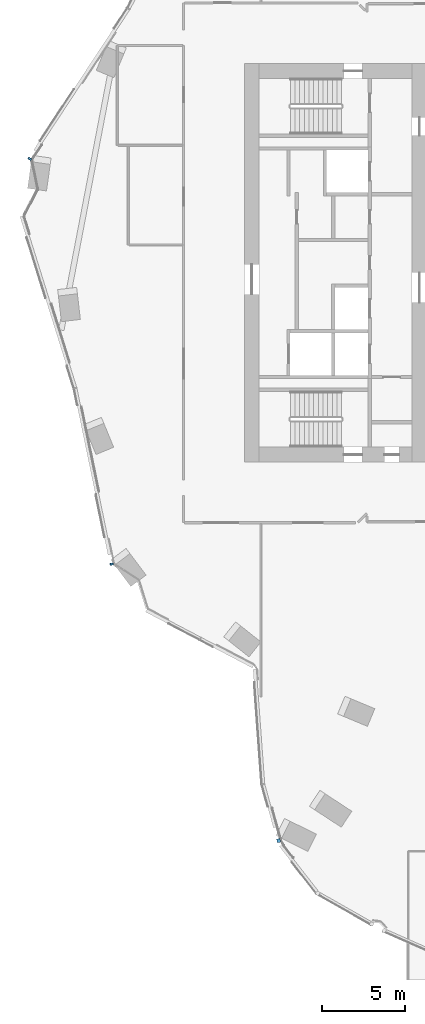
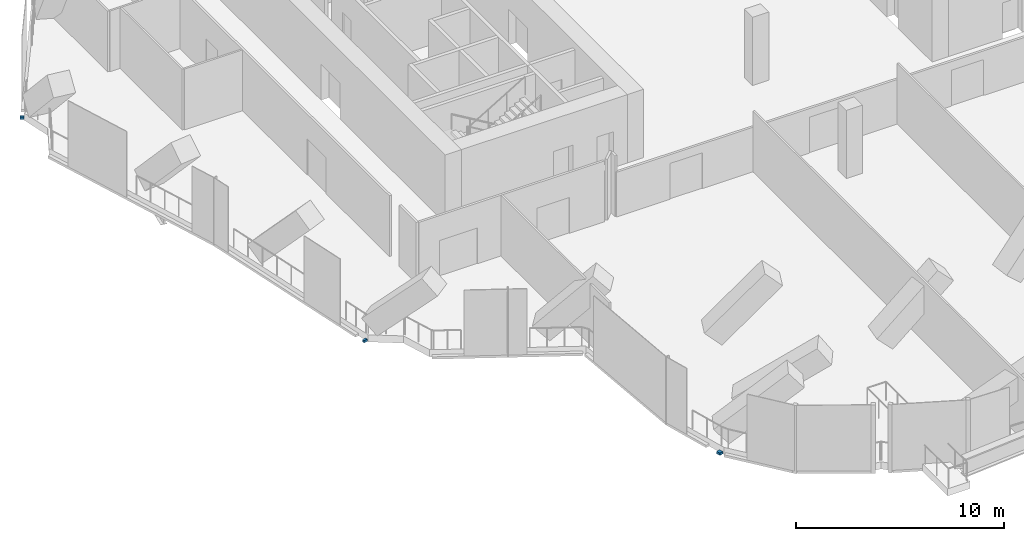
# One storey, part 12 of 26: 3 members, 3 elements without a shape of their own.
"""IFC4 building model written with IfcOpenShell, lengths in metres."""

from ifc_helpers import new_model, si_unit, direction, frame, origin, origin_2d, place, context, subcontext, project, spatial, rectangle, extrude, material, material_profile, profile_set, type_object, element, aggregate, save


model = new_model("IFC4")

# Units and contexts
model_context = context("Model", 3, precision=1e-05, world=origin(), true_north=direction((0.0, 1.0)))
body_context = subcontext(model_context, "Body", "Model", "MODEL_VIEW")
ifc_project = project(units=[si_unit("LENGTHUNIT", "METRE"), si_unit("AREAUNIT", "SQUARE_METRE"), si_unit("VOLUMEUNIT", "CUBIC_METRE"), si_unit("PLANEANGLEUNIT", "RADIAN"), si_unit("MASSUNIT", "GRAM", prefix="KILO")], contexts=[model_context])

# Site, building, storey
site_placement = place(None, origin())
site = spatial("IfcSite", under=ifc_project, at=site_placement, CompositionType="ELEMENT")
building_placement = place(site_placement, origin())
building = spatial("IfcBuilding", under=site, at=building_placement, Name="Orlundy Tower", CompositionType="ELEMENT")
storey_placement = place(building_placement, frame((0.0, 0.0, 249.5)))
storey = spatial("IfcBuildingStorey", under=building, at=storey_placement, Name="L66", CompositionType="ELEMENT", Elevation=249.5)

# Curtain wall, member
ifc_material_1 = material(Name="Aluminium bronze anodised", Category="aluminium")
curtain_wall_type = type_object("IfcCurtainWallType", Name="CW5 wall", PredefinedType="NOTDEFINED", material=ifc_material_1)
curtain_wall_1_placement = place(storey_placement, origin())
curtain_wall_1 = element("IfcCurtainWall", 1, at=curtain_wall_1_placement, inside=storey, type_object=curtain_wall_type, Name="CW5 run 02", PredefinedType="NOTDEFINED")
ifc_material_2 = material(Name="Aluminium bronze anodised", Category="aluminium")
ifc_material_profile = material_profile(ifc_material_2, rectangle(XDim=0.199951171875, YDim=0.139892578125, at=origin_2d()), Name="CW5 transom 200x140")
ifc_profile_set = profile_set([ifc_material_profile], Name="Aluminium bronze anodised")
member_type = type_object("IfcMemberType", Name="CW5 transom 200x140", PredefinedType="USERDEFINED", material=ifc_profile_set)
member_1_placement = place(storey_placement, frame((-26.976806640625, -18.19873046875, -0.35009765625), z_axis=(-0.202605604036, 0.979260419507, 0.0), x_axis=(-0.979260419507, -0.202605604036, 0.0)))
member_1 = element("IfcMember", 2, at=member_1_placement, type_object=member_type, Name="CW5 transom", ObjectType="TRANSOM", PredefinedType="USERDEFINED", context=body_context, shape_type="SweptSolid", body=[
    extrude(rectangle(XDim=0.199951171875, YDim=0.139892578125, at=origin_2d()), origin(), (0.0, 0.0, 1.0), 0.11572265625),
])
aggregate(curtain_wall_1, [member_1])

curtain_wall_2_placement = place(storey_placement, origin())
curtain_wall_2 = element("IfcCurtainWall", 3, at=curtain_wall_2_placement, inside=storey, type_object=curtain_wall_type, Name="CW5 run 06", PredefinedType="NOTDEFINED")
member_2_placement = place(storey_placement, frame((-31.9443359375, 6.206787109375, -0.35009765625), z_axis=(0.548885224411, 0.835897727251, 0.0), x_axis=(-0.835897727251, 0.548885224411, 0.0)))
member_2 = element("IfcMember", 4, at=member_2_placement, type_object=member_type, Name="CW5 transom", ObjectType="TRANSOM", PredefinedType="USERDEFINED", context=body_context, shape_type="SweptSolid", body=[
    extrude(rectangle(XDim=0.199951171875, YDim=0.139892578125, at=origin_2d()), origin(), (0.0, 0.0, 1.0), 0.116455078125),
])
aggregate(curtain_wall_2, [member_2])

curtain_wall_3_placement = place(storey_placement, origin())
curtain_wall_3 = element("IfcCurtainWall", 5, at=curtain_wall_3_placement, inside=storey, type_object=curtain_wall_type, Name="CW5 run 043", PredefinedType="NOTDEFINED")
member_3_placement = place(storey_placement, frame((-16.899658203125, -34.896240234375, -0.35009765625), z_axis=(-0.265717883071, 0.964050831967, 0.0), x_axis=(-0.964050831967, -0.265717883071, 0.0)))
member_3 = element("IfcMember", 6, at=member_3_placement, type_object=member_type, Name="CW5 transom", ObjectType="TRANSOM", PredefinedType="USERDEFINED", context=body_context, shape_type="SweptSolid", body=[
    extrude(rectangle(XDim=0.199951171875, YDim=0.139892578125, at=origin_2d()), origin(), (0.0, 0.0, 1.0), 0.222412109375),
])
aggregate(curtain_wall_3, [member_3])

save(model, "model.ifc")
